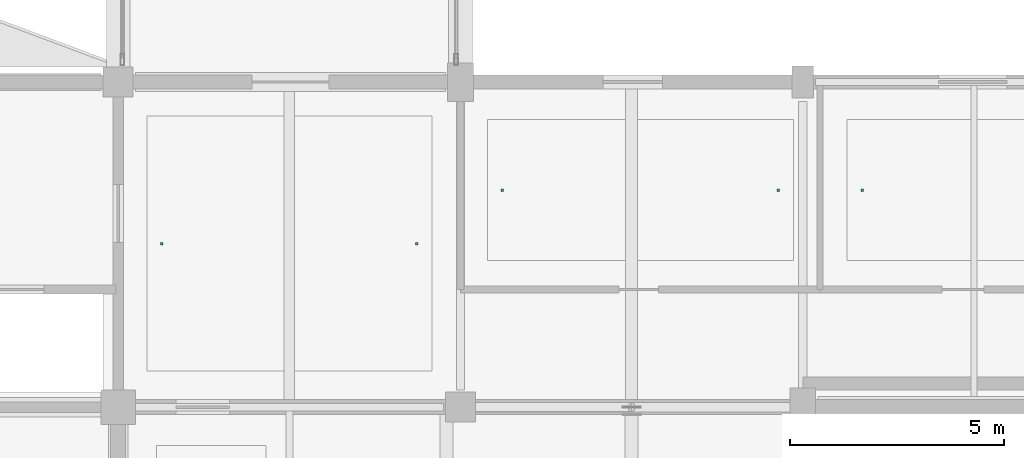
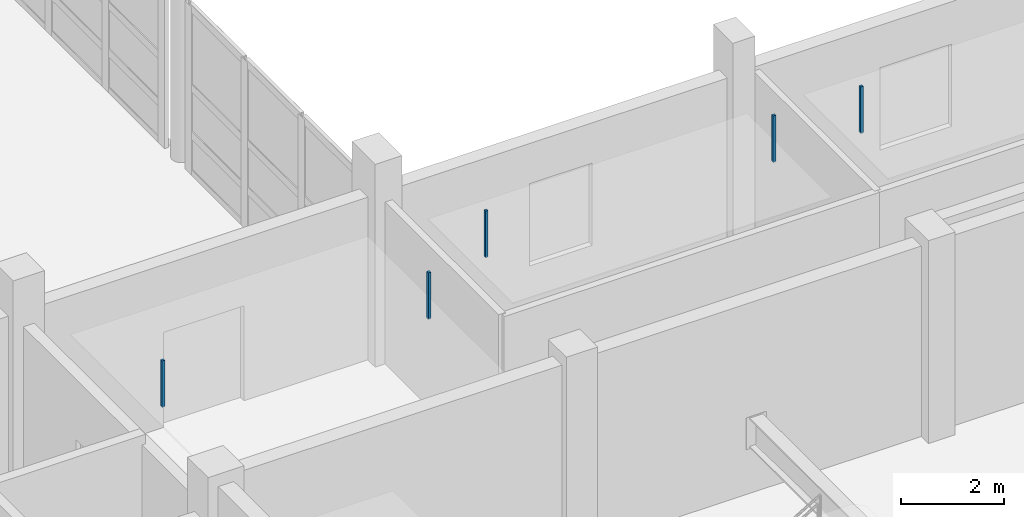
# One storey, part 101 of 147: 5 discrete accessories.
"""IFC4 building model written with IfcOpenShell, lengths in metres."""

from ifc_helpers import new_model, si_unit, direction, frame, origin, origin_2d, place, context, subcontext, project, spatial, rectangle, extrude, material, type_object, element, save


model = new_model("IFC4")

# Units and contexts
model_context = context("Model", 3, precision=1e-05, world=origin(), true_north=direction((0.0, 1.0)))
body_context = subcontext(model_context, "Body", "Model", "MODEL_VIEW")
ifc_project = project(units=[si_unit("LENGTHUNIT", "METRE"), si_unit("AREAUNIT", "SQUARE_METRE"), si_unit("VOLUMEUNIT", "CUBIC_METRE"), si_unit("PLANEANGLEUNIT", "RADIAN"), si_unit("MASSUNIT", "GRAM", prefix="KILO")], contexts=[model_context])

# Site, building, storey
site_placement = place(None, origin())
site = spatial("IfcSite", under=ifc_project, at=site_placement, CompositionType="ELEMENT")
building_placement = place(site_placement, origin())
building = spatial("IfcBuilding", under=site, at=building_placement, Name="Khelvaren Railside Concert Hall", CompositionType="ELEMENT")
storey_placement = place(building_placement, frame((0.0, 0.0, 5.39990234375)))
storey = spatial("IfcBuildingStorey", under=building, at=storey_placement, Name="L01", CompositionType="ELEMENT", Elevation=5.39990234375)

# Discrete accessories
ifc_material = material(Name="Galvanised steel acoustic ceiling hanger rod", Category="steel")
discrete_accessory_type = type_object("IfcDiscreteAccessoryType", Name="BRK62", PredefinedType="BRACKET", material=ifc_material)
for number, where, z_axis, x_axis, name in (
    (1, (9.02001953125, 41.824951171875, 3.429931640625), (0.0, 0.0, 1.0), (1.0, 0.0, 0.0), "Acoustic Ceiling Suspension Bracket 16-1"),
    (2, (14.97998046875, 41.824951171875, 3.429931640625), (0.0, 0.0, 1.0), (1.0, 0.0, 0.0), "Acoustic Ceiling Suspension Bracket 16-2"),
    (3, (16.97998046875, 43.074951171875, 3.429931640625), (0.0, 0.0, 1.0), (1.0, 0.0, 0.0), "Acoustic Ceiling Suspension Bracket 17-1"),
    (4, (23.427001953125, 43.074951171875, 3.429931640625), (0.0, 0.0, 1.0), (1.0, 0.0, 0.0), "Acoustic Ceiling Suspension Bracket 17-2"),
    (5, (25.386962890625, 43.074951171875, 3.429931640625), (0.0, 0.0, 1.0), (1.0, 0.0, 0.0), "Acoustic Ceiling Suspension Bracket 18-1"),
):
    element("IfcDiscreteAccessory", number, at=place(storey_placement, frame(where, z_axis=z_axis, x_axis=x_axis)), inside=storey, type_object=discrete_accessory_type, Name=name, PredefinedType="BRACKET", context=body_context, shape_type="SweptSolid", body=[
        extrude(rectangle(XDim=0.06005859375, YDim=0.06005859375, at=origin_2d()), origin(), (0.0, 0.0, 1.0), 1.10009765625),
    ])

save(model, "model.ifc")
